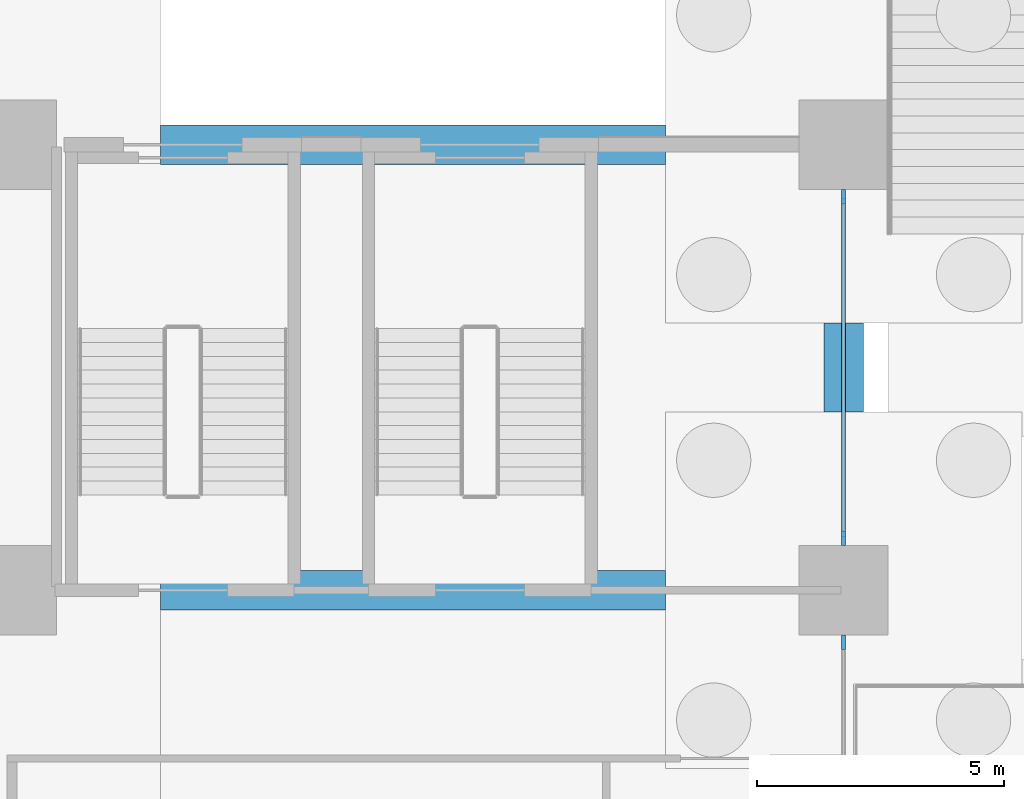
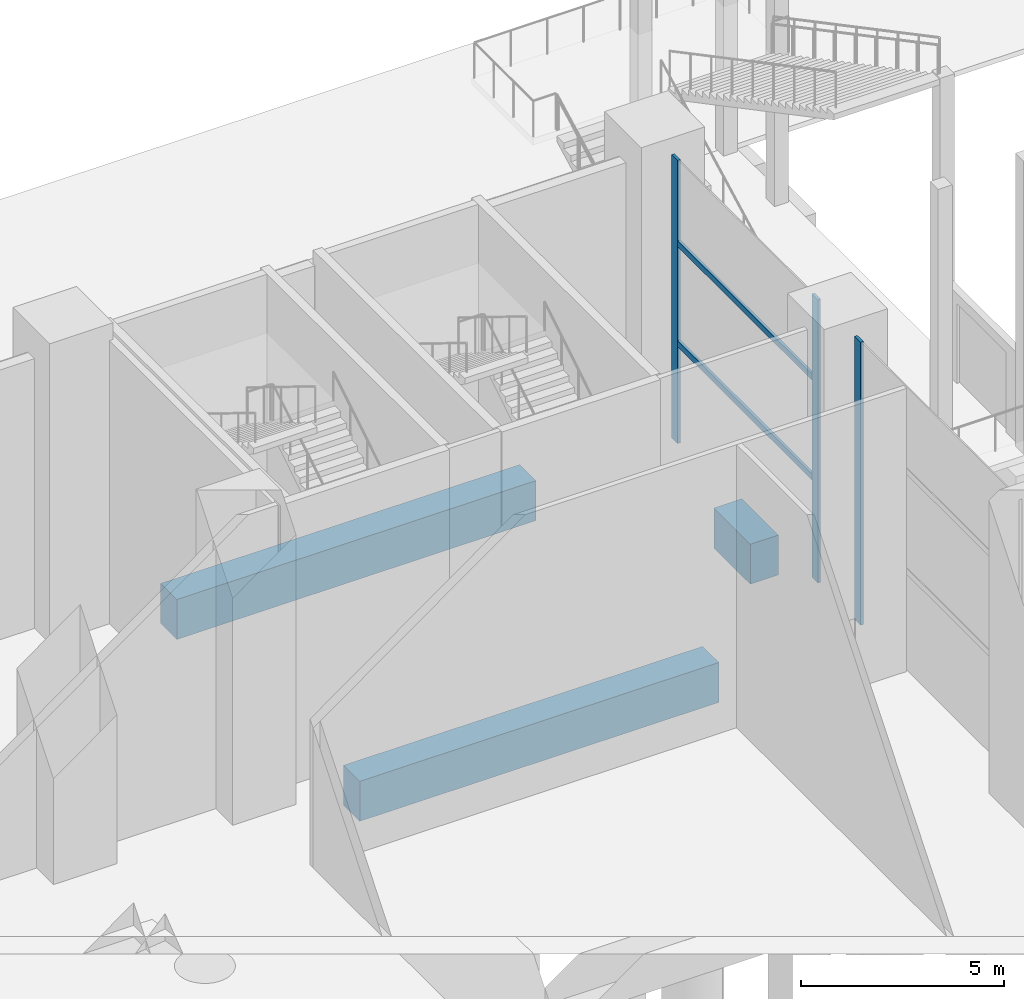
# One storey, part 27 of 72: 5 members, 3 beams, 2 elements without a shape of their own.
"""IFC4 building model written with IfcOpenShell, lengths in metres."""

import ifcopenshell
import ifcopenshell.guid

model = None  # the IFC model being written
_history = None  # IfcOwnerHistory: only IFC2X3 demands one
_inside = {}  # id of a spatial element -> (the spatial element, [elements in it])
_under = {}  # id of a project, library or spatial element -> (it, [spatial elements below it])
_declared = {}  # id of a project -> (the project, [libraries it declares])
_typed = {}  # id of a type object -> (the type object, [elements of that type])
_made_of = {}  # id of a material, layer set ... -> (it, [elements and type objects made of it])


def new_model(schema):
    """Start an empty IFC model of exactly this schema.

    Asked for "IFC4X3", IfcOpenShell would pick the latest addendum, in which some entities
    have other attributes; the version numbers below select the first issue.
    IFC2X3 requires an IfcOwnerHistory on every rooted entity: one is made here for all.
    """
    global model, _history
    if schema == "IFC4X3":
        model = ifcopenshell.file(schema_version=(4, 3, 0, 0))
    else:
        model = ifcopenshell.file(schema=schema)
    _inside.clear()
    _under.clear()
    _declared.clear()
    _typed.clear()
    _made_of.clear()
    _history = None
    if model.schema == "IFC2X3":
        org = make("IfcOrganization", Name="unknown")
        user = make(
            "IfcPersonAndOrganization",
            ThePerson=make("IfcPerson", FamilyName="unknown"),
            TheOrganization=org,
        )
        app = make(
            "IfcApplication",
            ApplicationDeveloper=org,
            Version="unknown",
            ApplicationFullName="unknown",
            ApplicationIdentifier="unknown",
        )
        _history = make(
            "IfcOwnerHistory",
            OwningUser=user,
            OwningApplication=app,
            ChangeAction="ADDED",
            CreationDate=0,
        )
    return model


def make(cls, **values):
    """One entity of the class cls with the attributes given. An attribute that is None is left unset."""
    return model.create_entity(
        cls, **{name: value for name, value in values.items() if value is not None}
    )


def rooted(cls, **values):
    """An entity with a GlobalId (a new one), such as an element, a storey or a relation."""
    return make(cls, GlobalId=ifcopenshell.guid.new(), OwnerHistory=_history, **values)


def si_unit(unit_type, name, prefix=None):
    """IfcSIUnit, for example si_unit("LENGTHUNIT", "METRE", prefix="MILLI")."""
    return make("IfcSIUnit", UnitType=unit_type, Prefix=prefix, Name=name)


def assignment(units):
    """IfcUnitAssignment: the units of a project."""
    return None if units is None else make("IfcUnitAssignment", Units=units)


def point(xyz):
    """IfcCartesianPoint."""
    return None if xyz is None else make("IfcCartesianPoint", Coordinates=xyz)


def direction(xyz):
    """IfcDirection."""
    return None if xyz is None else make("IfcDirection", DirectionRatios=xyz)


def frame(location, z_axis=None, x_axis=None):
    """IfcAxis2Placement3D, a coordinate frame: its origin and axes. An axis left out is left unset."""
    return make(
        "IfcAxis2Placement3D",
        Location=point(location),
        Axis=direction(z_axis),
        RefDirection=direction(x_axis),
    )


def frame_2d(location, x_axis=None):
    """IfcAxis2Placement2D, a coordinate frame in the plane: its origin and x axis."""
    return make(
        "IfcAxis2Placement2D", Location=point(location), RefDirection=direction(x_axis)
    )


def origin():
    """The frame at (0, 0, 0) with its axes left unset."""
    return frame((0.0, 0.0, 0.0))


def origin_2d():
    """The frame at (0, 0) in the plane with its x axis left unset."""
    return frame_2d((0.0, 0.0))


def place(relative_to, where):
    """IfcLocalPlacement: puts the frame where relative to a parent placement (None: the world)."""
    return make(
        "IfcLocalPlacement", PlacementRelTo=relative_to, RelativePlacement=where
    )


def context(
    kind, dimensions, precision=None, world=None, true_north=None, identifier=None
):
    """IfcGeometricRepresentationContext, for example the 3D "Model" context."""
    return make(
        "IfcGeometricRepresentationContext",
        ContextIdentifier=identifier,
        ContextType=kind,
        CoordinateSpaceDimension=dimensions,
        Precision=precision,
        WorldCoordinateSystem=world,
        TrueNorth=true_north,
    )


def subcontext(parent, identifier, kind, view, scale=None):
    """IfcGeometricRepresentationSubContext, for example "Body" below "Model"."""
    return make(
        "IfcGeometricRepresentationSubContext",
        ContextIdentifier=identifier,
        ContextType=kind,
        ParentContext=parent,
        TargetScale=scale,
        TargetView=view,
    )


def project(units=None, contexts=None):
    """IfcProject with its units and contexts."""
    return rooted(
        "IfcProject",
        Name="project",
        RepresentationContexts=contexts,
        UnitsInContext=assignment(units),
    )


def spatial(cls, under=None, at=None, **own):
    """A site, building, storey or space (cls), placed at a placement, below another one or the project."""
    s = rooted(cls, ObjectPlacement=at, **own)
    if under is not None:
        _under.setdefault(under.id(), (under, []))[1].append(s)
    return s


def profile(cls, at=None, kind="AREA", **sizes):
    """A parametric profile (cls). Its sizes go by their IFC names, for example OverallWidth=200.0."""
    return make(cls, ProfileType=kind, Position=at, **sizes)


def rectangle(**sizes):
    """IfcRectangleProfileDef."""
    return profile("IfcRectangleProfileDef", **sizes)


def extrude(swept, where, along, depth):
    """IfcExtrudedAreaSolid: the profile swept, set in the frame where, extruded along a direction by depth."""
    return make(
        "IfcExtrudedAreaSolid",
        SweptArea=swept,
        Position=where,
        ExtrudedDirection=direction(along),
        Depth=depth,
    )


def shape(context_of_items, identifier, shape_type, items):
    """IfcShapeRepresentation: the items that make up one representation, for example the "Body"."""
    return make(
        "IfcShapeRepresentation",
        ContextOfItems=context_of_items,
        RepresentationIdentifier=identifier,
        RepresentationType=shape_type,
        Items=items,
    )


def material(Name=None, Category=None):
    """IfcMaterial."""
    return make("IfcMaterial", Name=Name, Category=Category)


def material_profile(
    of_material, cross_section, Name=None, Category=None, Priority=None
):
    """IfcMaterialProfile: a cross section and its material."""
    return make(
        "IfcMaterialProfile",
        Name=Name,
        Material=of_material,
        Profile=cross_section,
        Priority=Priority,
        Category=Category,
    )


def profile_set(profiles, Name=None, composite=None):
    """IfcMaterialProfileSet."""
    return make(
        "IfcMaterialProfileSet",
        Name=Name,
        MaterialProfiles=profiles,
        CompositeProfile=composite,
    )


def made_of(thing, what):
    """Note that an element or type object is made of a material, layer set ...; save() writes the relation."""
    if what is not None:
        _made_of.setdefault(what.id(), (what, []))[1].append(thing)
    return thing


def type_object(cls, material=None, **own):
    """A type object (cls), such as IfcWallType, which elements share."""
    return made_of(rooted(cls, **own), material)


def element(
    cls,
    number,
    at=None,
    inside=None,
    cuts=None,
    type_object=None,
    material=None,
    context=None,
    identifier="Body",
    shape_type=None,
    held_by="IfcProductDefinitionShape",
    body=None,
    shapes=None,
    **own,
):
    """One element of the class cls, such as IfcWall. Its Tag is "e" and its number.

    at: its placement. inside: the storey or other place that contains it. cuts: it is an
    opening in that element (IfcRelVoidsElement). A single representation is given by context,
    identifier, shape_type and body (its items); several are given by shapes. held_by: the class
    of the entity that holds the representations. save() writes the other relations.
    """
    e = rooted(cls, Tag="e%d" % number, ObjectPlacement=at, **own)
    if body is not None:
        shapes = [shape(context, identifier, shape_type, body)]
    if shapes is not None:
        e.Representation = make(held_by, Representations=shapes)
    if inside is not None:
        _inside.setdefault(inside.id(), (inside, []))[1].append(e)
    if cuts is not None:
        rooted(
            "IfcRelVoidsElement", RelatingBuildingElement=cuts, RelatedOpeningElement=e
        )
    if type_object is not None:
        _typed.setdefault(type_object.id(), (type_object, []))[1].append(e)
    return made_of(e, material)


def aggregate(whole, parts):
    """IfcRelAggregates: a whole, such as a stair, and the parts it consists of."""
    return rooted("IfcRelAggregates", RelatingObject=whole, RelatedObjects=parts)


def save(model, path):
    """Write the relations noted so far, then the file.

    IfcRelAggregates (storeys below a building ...), IfcRelContainedInSpatialStructure (elements
    in a storey), IfcRelDefinesByType, IfcRelAssociatesMaterial and IfcRelDeclares: one each for
    every whole, place, type object, material and project.
    """
    for whole, parts in _under.values():
        aggregate(whole, parts)
    for where, things in _inside.values():
        rooted(
            "IfcRelContainedInSpatialStructure",
            RelatedElements=things,
            RelatingStructure=where,
        )
    for kind, things in _typed.values():
        rooted("IfcRelDefinesByType", RelatedObjects=things, RelatingType=kind)
    for what, things in _made_of.values():
        rooted("IfcRelAssociatesMaterial", RelatedObjects=things, RelatingMaterial=what)
    for by, libraries in _declared.values():
        rooted("IfcRelDeclares", RelatingContext=by, RelatedDefinitions=libraries)
    model.write(path)


model = new_model("IFC4")

# Units and contexts
model_context = context("Model", 3, precision=1e-05, world=origin(), true_north=direction((0.0, 1.0)))
body_context = subcontext(model_context, "Body", "Model", "MODEL_VIEW")
ifc_project = project(units=[si_unit("LENGTHUNIT", "METRE"), si_unit("AREAUNIT", "SQUARE_METRE"), si_unit("VOLUMEUNIT", "CUBIC_METRE"), si_unit("PLANEANGLEUNIT", "RADIAN"), si_unit("MASSUNIT", "GRAM", prefix="KILO")], contexts=[model_context])

# Site, building, storey
site_placement = place(None, origin())
site = spatial("IfcSite", under=ifc_project, at=site_placement, CompositionType="ELEMENT")
building_placement = place(site_placement, origin())
building = spatial("IfcBuilding", under=site, at=building_placement, Name="Candeia Pilgrim Tower and Theatre", CompositionType="ELEMENT")
storey_placement = place(building_placement, origin())
storey = spatial("IfcBuildingStorey", under=building, at=storey_placement, Name="L00", CompositionType="ELEMENT", Elevation=0.0)

# Curtain wall, members
ifc_material_1 = material(Name="Aluminium framed podium glazing", Category="aluminium")
curtain_wall_type = type_object("IfcCurtainWallType", Name="CW-P curtain wall", PredefinedType="NOTDEFINED", material=ifc_material_1)
curtain_wall_1_placement = place(storey_placement, origin())
curtain_wall_1 = element("IfcCurtainWall", 1, at=curtain_wall_1_placement, inside=storey, type_object=curtain_wall_type, Name="Curtain wall CW-P L00.200", PredefinedType="NOTDEFINED")
ifc_material_2 = material(Name="Anodised aluminium", Category="aluminium")
ifc_material_profile_1 = material_profile(ifc_material_2, rectangle(XDim=0.080078125, YDim=0.300048828125, at=origin_2d()))
ifc_profile_set_1 = profile_set([ifc_material_profile_1], Name="Anodised aluminium")
member_type_1 = type_object("IfcMemberType", Name="CW-P mullion 80x300", PredefinedType="MULLION", material=ifc_profile_set_1)
member_1_placement = place(storey_placement, frame((159.60009765625, 143.75, 0.0), z_axis=(0.0, 0.0, 1.0), x_axis=(1.0, 0.0, 0.0)))
member_1 = element("IfcMember", 2, at=member_1_placement, type_object=member_type_1, Name="CW-P mullion 1", PredefinedType="MULLION", context=body_context, shape_type="SweptSolid", body=[
    extrude(rectangle(XDim=0.080078125, YDim=0.300048828125, at=origin_2d()), origin(), (0.0, 0.0, 1.0), 8.5),
])
member_2_placement = place(storey_placement, frame((159.60009765625, 136.85009765625, 0.0), z_axis=(0.0, 0.0, 1.0), x_axis=(1.0, 0.0, 0.0)))
member_2 = element("IfcMember", 3, at=member_2_placement, type_object=member_type_1, Name="CW-P mullion 2", PredefinedType="MULLION", context=body_context, shape_type="SweptSolid", body=[
    extrude(rectangle(XDim=0.080078125, YDim=0.300048828125, at=origin_2d()), origin(), (0.0, 0.0, 1.0), 8.5),
])

# Curtain wall, member
curtain_wall_2_placement = place(storey_placement, origin())
curtain_wall_2 = element("IfcCurtainWall", 4, at=curtain_wall_2_placement, inside=storey, type_object=curtain_wall_type, Name="Curtain wall CW-P L00.210", PredefinedType="NOTDEFINED")
member_3_placement = place(storey_placement, frame((159.60009765625, 134.75, 0.0), z_axis=(0.0, 0.0, 1.0), x_axis=(1.0, 0.0, 0.0)))
member_3 = element("IfcMember", 5, at=member_3_placement, type_object=member_type_1, Name="CW-P mullion 1", PredefinedType="MULLION", context=body_context, shape_type="SweptSolid", body=[
    extrude(rectangle(XDim=0.080078125, YDim=0.300048828125, at=origin_2d()), origin(), (0.0, 0.0, 1.0), 8.5),
])
aggregate(curtain_wall_2, [member_3])

# Member
ifc_material_profile_2 = material_profile(ifc_material_2, rectangle(XDim=0.080078125, YDim=0.179931640625, at=origin_2d()))
ifc_profile_set_2 = profile_set([ifc_material_profile_2], Name="Anodised aluminium")
member_type_2 = type_object("IfcMemberType", Name="CW-P transom 80x180", PredefinedType="USERDEFINED", material=ifc_profile_set_2)
member_4_placement = place(storey_placement, frame((159.60009765625, 143.7099609375, 3.0), z_axis=(0.0, -1.0, 0.0), x_axis=(1.0, 0.0, 0.0)))
member_4 = element("IfcMember", 6, at=member_4_placement, type_object=member_type_2, Name="CW-P transom 1.1", ObjectType="TRANSOM", PredefinedType="USERDEFINED", context=body_context, shape_type="SweptSolid", body=[
    extrude(rectangle(XDim=0.080078125, YDim=0.179931640625, at=origin_2d()), origin(), (0.0, 0.0, 1.0), 6.820068359375),
])

member_5_placement = place(storey_placement, frame((159.60009765625, 143.7099609375, 6.0), z_axis=(0.0, -1.0, 0.0), x_axis=(1.0, 0.0, 0.0)))
member_5 = element("IfcMember", 7, at=member_5_placement, type_object=member_type_2, Name="CW-P transom 1.2", ObjectType="TRANSOM", PredefinedType="USERDEFINED", context=body_context, shape_type="SweptSolid", body=[
    extrude(rectangle(XDim=0.080078125, YDim=0.179931640625, at=origin_2d()), origin(), (0.0, 0.0, 1.0), 6.820068359375),
])

aggregate(curtain_wall_1, [member_1, member_2, member_4, member_5])

# Beams
ifc_material_3 = material(Name="Concrete C40/50", Category="concrete")
ifc_material_profile_3 = material_profile(ifc_material_3, rectangle(XDim=0.800048828125, YDim=1.199951171875, at=origin_2d()))
ifc_profile_set_3 = profile_set([ifc_material_profile_3], Name="Concrete C40/50")
beam_type = type_object("IfcBeamType", Name="RC 800x1200 C40/50", PredefinedType="BEAM", material=ifc_profile_set_3)
beam_placement = place(storey_placement, frame((159.60009765625, 139.39990234375, -0.949951171875), z_axis=(0.0, 1.0, 0.0), x_axis=(-1.0, 0.0, 0.0)))
element("IfcBeam", 8, at=beam_placement, inside=storey, type_object=beam_type, Name="Ground beam 020", PredefinedType="BEAM", context=body_context, shape_type="SweptSolid", body=[
    extrude(rectangle(XDim=0.800048828125, YDim=1.199951171875, at=origin_2d()), origin(), (0.0, 0.0, 1.0), 1.800048828125),
])
for number, where, z_axis, x_axis, name in (
    (9, (156.0, 135.800048828125, -0.949951171875), (-1.0, 0.0, 0.0), (0.0, -1.0, 0.0), "Ground beam 052"),
    (10, (156.0, 144.800048828125, -0.949951171875), (-1.0, 0.0, 0.0), (0.0, -1.0, 0.0), "Ground beam 053"),
):
    element("IfcBeam", number, at=place(storey_placement, frame(where, z_axis=z_axis, x_axis=x_axis)), inside=storey, type_object=beam_type, Name=name, PredefinedType="BEAM", context=body_context, shape_type="SweptSolid", body=[
        extrude(rectangle(XDim=0.800048828125, YDim=1.199951171875, at=origin_2d()), origin(), (0.0, 0.0, 1.0), 10.199951171875),
    ])

save(model, "model.ifc")
